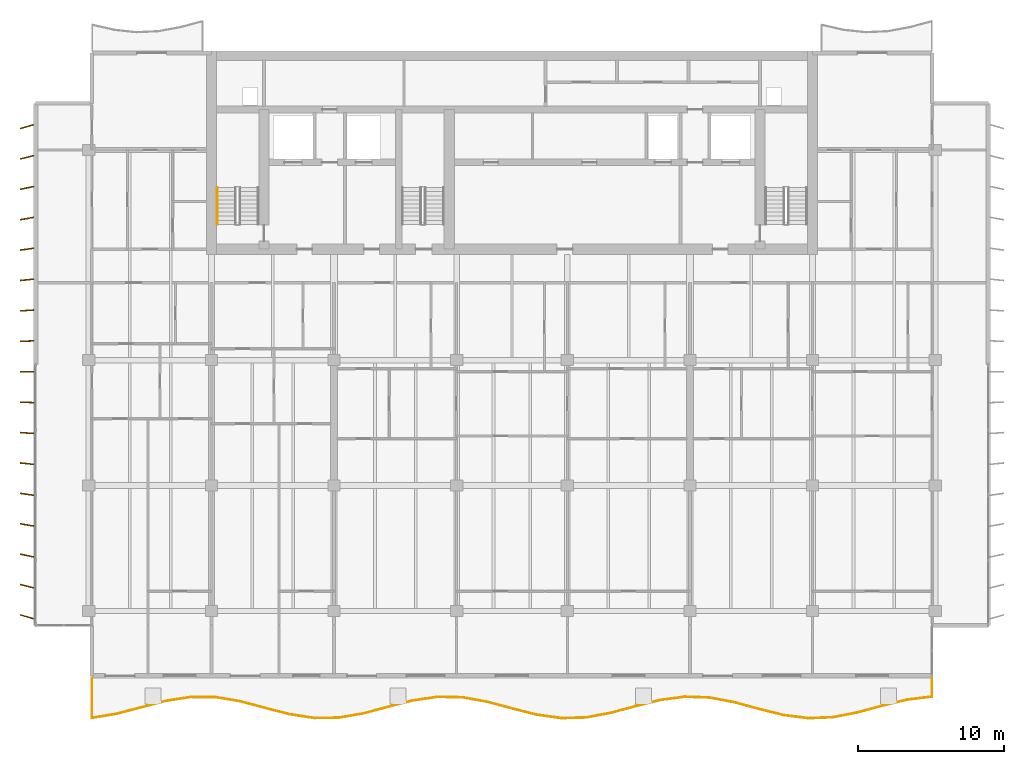
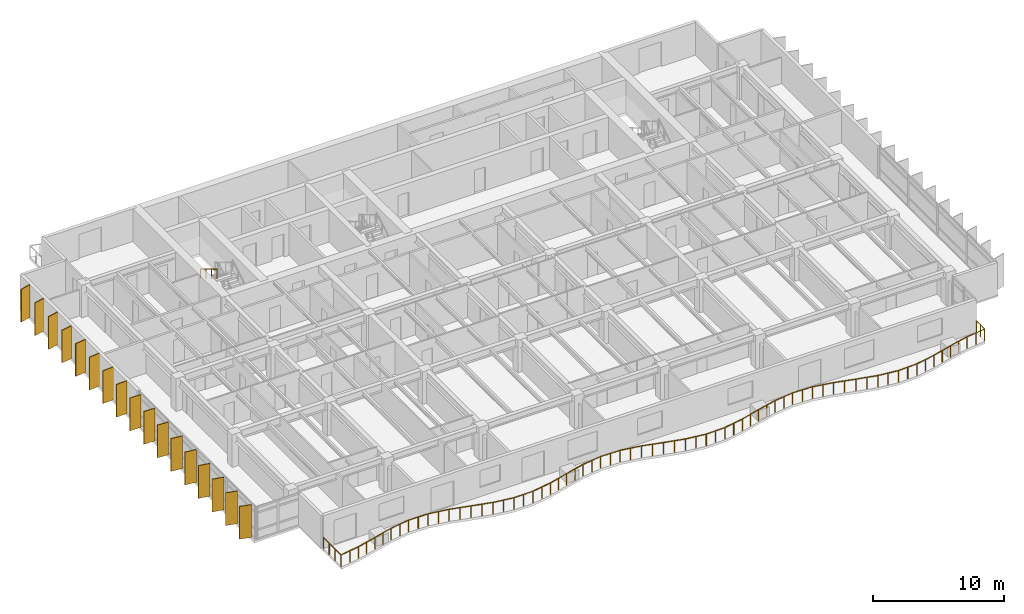
# One storey, part 14 of 17: 17 shading devices, 2 railings.
"""IFC4 building model written with IfcOpenShell, lengths in metres."""

from ifc_helpers import new_model, si_unit, direction, frame, origin, origin_2d, place, context, subcontext, project, spatial, rectangle, circle, extrude, material, material_profile, profile_set, type_object, element, save


model = new_model("IFC4")

# Units and contexts
model_context = context("Model", 3, precision=1e-05, world=origin(), true_north=direction((0.0, 1.0)))
body_context = subcontext(model_context, "Body", "Model", "MODEL_VIEW")
ifc_project = project(units=[si_unit("LENGTHUNIT", "METRE"), si_unit("AREAUNIT", "SQUARE_METRE"), si_unit("VOLUMEUNIT", "CUBIC_METRE"), si_unit("PLANEANGLEUNIT", "RADIAN"), si_unit("MASSUNIT", "GRAM", prefix="KILO")], contexts=[model_context])

# Site, building, storey
site_placement = place(None, origin())
site = spatial("IfcSite", under=ifc_project, at=site_placement, CompositionType="ELEMENT")
building_placement = place(site_placement, origin())
building = spatial("IfcBuilding", under=site, at=building_placement, Name="Caelmar Bay Residences", CompositionType="ELEMENT")
storey_placement = place(building_placement, frame((0.0, 0.0, 201.60009765625)))
storey = spatial("IfcBuildingStorey", under=building, at=storey_placement, Name="L56", CompositionType="ELEMENT", Elevation=201.60009765625)

# Railings
ifc_material_1 = material(Name="Anodised bronze handrail with laminated hurricane glass infill", Category="glass")
railing_type_1 = type_object("IfcRailingType", Name="RL-BAL-1100", PredefinedType="BALUSTRADE", material=ifc_material_1)
railing_1_placement = place(storey_placement, frame((10.10009765625, 7.60009765625, 0.0)))
element("IfcRailing", 1, at=railing_1_placement, inside=storey, type_object=railing_type_1, Name="L56 south Balcony Balustrade", PredefinedType="BALUSTRADE", context=body_context, shape_type="SweptSolid", body=[
    extrude(circle(Radius=0.02392578125, at=origin_2d()), frame((0.0, 0.0, 1.076171875), z_axis=(0.0, -1.0, 0.0), x_axis=(1.0, 0.0, 0.0)), (0.0, 0.0, 1.0), 2.7333984375),
    extrude(circle(Radius=0.02392578125, at=origin_2d()), frame((0.0, -2.7333984375, 1.076171875), z_axis=(0.987020906069, 0.160591814808, 0.0), x_axis=(-0.160591814808, 0.987020906069, 0.0)), (0.0, 0.0, 1.0), 1.71630859375),
    extrude(circle(Radius=0.02392578125, at=origin_2d()), frame((1.694091796875, -2.457763671875, 1.076171875), z_axis=(0.967110634576, 0.254356089941, 0.0), x_axis=(-0.254356089941, 0.967110634576, 0.0)), (0.0, 0.0, 1.0), 1.751708984375),
    extrude(circle(Radius=0.02392578125, at=origin_2d()), frame((3.38818359375, -2.01220703125, 1.076171875), z_axis=(0.967520956734, 0.252790819219, 0.0), x_axis=(-0.252790819219, 0.967520956734, 0.0)), (0.0, 0.0, 1.0), 1.7509765625),
    extrude(circle(Radius=0.02392578125, at=origin_2d()), frame((5.082275390625, -1.569580078125, 1.076171875), z_axis=(0.987754884776, 0.156013741708, 0.0), x_axis=(-0.156013741708, 0.987754884776, 0.0)), (0.0, 0.0, 1.0), 1.715087890625),
    extrude(circle(Radius=0.02392578125, at=origin_2d()), frame((6.7763671875, -1.302001953125, 1.076171875), z_axis=(0.999978027596, -0.006629051631, 0.0), x_axis=(0.006629051631, 0.999978027596, 0.0)), (0.0, 0.0, 1.0), 1.694091796875),
    extrude(circle(Radius=0.02392578125, at=origin_2d()), frame((8.470458984375, -1.313232421875, 1.076171875), z_axis=(0.986104347892, -0.166127105157, 0.0), x_axis=(0.166127105157, 0.986104347892, 0.0)), (0.0, 0.0, 1.0), 1.718017578125),
    extrude(circle(Radius=0.02392578125, at=origin_2d()), frame((10.16455078125, -1.5986328125, 1.076171875), z_axis=(0.966594667153, -0.256309869947, 0.0), x_axis=(0.256309869947, 0.966594667153, 0.0)), (0.0, 0.0, 1.0), 1.752685546875),
    extrude(circle(Radius=0.02392578125, at=origin_2d()), frame((11.858642578125, -2.0478515625, 1.076171875), z_axis=(0.968132332048, -0.250439189512, 0.0), x_axis=(0.250439189512, 0.968132332048, 0.0)), (0.0, 0.0, 1.0), 1.749755859375),
    extrude(circle(Radius=0.02392578125, at=origin_2d()), frame((13.552734375, -2.486083984375, 1.076171875), z_axis=(0.98864185553, -0.150290656712, 0.0), x_axis=(0.150290656712, 0.98864185553, 0.0)), (0.0, 0.0, 1.0), 1.7138671875),
    extrude(circle(Radius=0.02392578125, at=origin_2d()), frame((15.2470703125, -2.74365234375, 1.076171875), z_axis=(0.999904312247, 0.013833522694, 0.0), x_axis=(-0.013833522694, 0.999904312247, 0.0)), (0.0, 0.0, 1.0), 1.6943359375),
    extrude(circle(Radius=0.02392578125, at=origin_2d()), frame((16.941162109375, -2.72021484375, 1.076171875), z_axis=(0.985158564818, 0.171646736542, 0.0), x_axis=(-0.171646736542, 0.985158564818, 0.0)), (0.0, 0.0, 1.0), 1.7197265625),
    extrude(circle(Radius=0.02392578125, at=origin_2d()), frame((18.63525390625, -2.425048828125, 1.076171875), z_axis=(0.966144753917, 0.258000609455, 0.0), x_axis=(-0.258000609455, 0.966144753917, 0.0)), (0.0, 0.0, 1.0), 1.75341796875),
    extrude(circle(Radius=0.02392578125, at=origin_2d()), frame((20.329345703125, -1.97265625, 1.076171875), z_axis=(0.968738750291, 0.248083118499, 0.0), x_axis=(-0.248083118499, 0.968738750291, 0.0)), (0.0, 0.0, 1.0), 1.748779296875),
    extrude(circle(Radius=0.02392578125, at=origin_2d()), frame((22.0234375, -1.538818359375, 1.076171875), z_axis=(0.98951133428, 0.14445525027, 0.0), x_axis=(-0.14445525027, 0.98951133428, 0.0)), (0.0, 0.0, 1.0), 1.712158203125),
    extrude(circle(Radius=0.02392578125, at=origin_2d()), frame((23.717529296875, -1.29150390625, 1.076171875), z_axis=(0.999775681677, -0.021179856637, 0.0), x_axis=(0.021179856637, 0.999775681677, 0.0)), (0.0, 0.0, 1.0), 1.694580078125),
    extrude(circle(Radius=0.02392578125, at=origin_2d()), frame((25.41162109375, -1.327392578125, 1.076171875), z_axis=(0.984208538053, -0.177012862875, 0.0), x_axis=(0.177012862875, 0.984208538053, 0.0)), (0.0, 0.0, 1.0), 1.72119140625),
    extrude(circle(Radius=0.02392578125, at=origin_2d()), frame((27.105712890625, -1.632080078125, 1.076171875), z_axis=(0.965727200688, -0.259559191423, 0.0), x_axis=(0.259559191423, 0.965727200688, 0.0)), (0.0, 0.0, 1.0), 1.754150390625),
    extrude(circle(Radius=0.02392578125, at=origin_2d()), frame((28.7998046875, -2.08740234375, 1.076171875), z_axis=(0.969373446512, -0.245591370366, 0.0), x_axis=(0.245591370366, 0.969373446512, 0.0)), (0.0, 0.0, 1.0), 1.74755859375),
    extrude(circle(Radius=0.02392578125, at=origin_2d()), frame((30.493896484375, -2.5166015625, 1.076171875), z_axis=(0.990409437988, -0.138163472542, 0.0), x_axis=(0.138163472542, 0.990409437988, 0.0)), (0.0, 0.0, 1.0), 1.71044921875),
    extrude(circle(Radius=0.02392578125, at=origin_2d()), frame((32.18798828125, -2.7529296875, 1.076171875), z_axis=(0.999601431014, 0.028230818513, 0.0), x_axis=(-0.028230818513, 0.999601431014, 0.0)), (0.0, 0.0, 1.0), 1.695068359375),
    extrude(circle(Radius=0.02392578125, at=origin_2d()), frame((33.88232421875, -2.705078125, 1.076171875), z_axis=(0.983256624742, 0.182226260184, 0.0), x_axis=(-0.182226260184, 0.983256624742, 0.0)), (0.0, 0.0, 1.0), 1.722900390625),
    extrude(circle(Radius=0.02392578125, at=origin_2d()), frame((35.576416015625, -2.39111328125, 1.076171875), z_axis=(0.965342555337, 0.260986112381, 0.0), x_axis=(-0.260986112381, 0.965342555337, 0.0)), (0.0, 0.0, 1.0), 1.7548828125),
    extrude(circle(Radius=0.02392578125, at=origin_2d()), frame((37.2705078125, -1.93310546875, 1.076171875), z_axis=(0.970068443497, 0.242831659656, 0.0), x_axis=(-0.242831659656, 0.970068443497, 0.0)), (0.0, 0.0, 1.0), 1.746337890625),
    extrude(circle(Radius=0.02392578125, at=origin_2d()), frame((38.964599609375, -1.509033203125, 1.076171875), z_axis=(0.991231643063, 0.132135649205, 0.0), x_axis=(-0.132135649205, 0.991231643063, 0.0)), (0.0, 0.0, 1.0), 1.708984375),
    extrude(circle(Radius=0.02392578125, at=origin_2d()), frame((40.65869140625, -1.283203125, 1.076171875), z_axis=(0.999367067109, -0.035573377371, 0.0), x_axis=(0.035573377371, 0.999367067109, 0.0)), (0.0, 0.0, 1.0), 1.695068359375),
    extrude(circle(Radius=0.02392578125, at=origin_2d()), frame((42.352783203125, -1.343505859375, 1.076171875), z_axis=(0.982310060551, -0.187261701745, 0.0), x_axis=(0.187261701745, 0.982310060551, 0.0)), (0.0, 0.0, 1.0), 1.724853515625),
    extrude(circle(Radius=0.02392578125, at=origin_2d()), frame((44.047119140625, -1.66650390625, 1.076171875), z_axis=(0.965026507292, -0.26215232256, 0.0), x_axis=(0.26215232256, 0.965026507292, 0.0)), (0.0, 0.0, 1.0), 1.75537109375),
    extrude(circle(Radius=0.02392578125, at=origin_2d()), frame((45.7412109375, -2.126708984375, 1.076171875), z_axis=(0.970789153593, -0.239934197782, 0.0), x_axis=(0.239934197782, 0.970789153593, 0.0)), (0.0, 0.0, 1.0), 1.7451171875),
    extrude(circle(Radius=0.02392578125, at=origin_2d()), frame((47.435302734375, -2.54541015625, 1.076171875), z_axis=(0.992036281336, -0.125952437506, 0.0), x_axis=(0.125952437506, 0.992036281336, 0.0)), (0.0, 0.0, 1.0), 1.707763671875),
    extrude(circle(Radius=0.02392578125, at=origin_2d()), frame((49.12939453125, -2.760498046875, 1.076171875), z_axis=(0.999085270013, 0.042762404553, 0.0), x_axis=(-0.042762404553, 0.999085270013, 0.0)), (0.0, 0.0, 1.0), 1.695556640625),
    extrude(circle(Radius=0.02392578125, at=origin_2d()), frame((50.823486328125, -2.68798828125, 1.076171875), z_axis=(0.981356137979, 0.192198154131, 0.0), x_axis=(-0.192198154131, 0.981356137979, 0.0)), (0.0, 0.0, 1.0), 1.726318359375),
    extrude(circle(Radius=0.02392578125, at=origin_2d()), frame((52.517578125, -2.356201171875, 1.076171875), z_axis=(0.964744568041, 0.263187990676, 0.0), x_axis=(-0.263187990676, 0.964744568041, 0.0)), (0.0, 0.0, 1.0), 1.756103515625),
    extrude(circle(Radius=0.02392578125, at=origin_2d()), frame((54.211669921875, -1.89404296875, 1.076171875), z_axis=(0.971502255438, 0.23703030962, 0.0), x_axis=(-0.23703030962, 0.971502255438, 0.0)), (0.0, 0.0, 1.0), 1.743896484375),
    extrude(circle(Radius=0.02392578125, at=origin_2d()), frame((55.90576171875, -1.480712890625, 1.076171875), z_axis=(0.992837516335, 0.119472449364, 0.0), x_axis=(-0.119472449364, 0.992837516335, 0.0)), (0.0, 0.0, 1.0), 1.706298828125),
    extrude(circle(Radius=0.02392578125, at=origin_2d()), frame((57.599853515625, -1.27685546875, 1.076171875), z_axis=(0.0, 1.0, 0.0), x_axis=(-1.0, 0.0, 0.0)), (0.0, 0.0, 1.0), 1.27685546875),
    extrude(circle(Radius=0.02099609375, at=origin_2d()), origin(), (0.0, 0.0, 1.0), 1.052001953125),
    extrude(circle(Radius=0.02099609375, at=origin_2d()), frame((0.0, -0.9111328125, 0.0)), (0.0, 0.0, 1.0), 1.052001953125),
    extrude(circle(Radius=0.02099609375, at=origin_2d()), frame((0.0, -1.822265625, 0.0)), (0.0, 0.0, 1.0), 1.052001953125),
    extrude(circle(Radius=0.02099609375, at=origin_2d()), frame((0.0, -2.7333984375, 0.0)), (0.0, 0.0, 1.0), 1.052001953125),
    extrude(circle(Radius=0.02099609375, at=origin_2d()), frame((0.84716796875, -2.595703125, 0.0)), (0.0, 0.0, 1.0), 1.052001953125),
    extrude(circle(Radius=0.02099609375, at=origin_2d()), frame((1.694091796875, -2.457763671875, 0.0)), (0.0, 0.0, 1.0), 1.052001953125),
    extrude(circle(Radius=0.02099609375, at=origin_2d()), frame((2.541015625, -2.23486328125, 0.0)), (0.0, 0.0, 1.0), 1.052001953125),
    extrude(circle(Radius=0.02099609375, at=origin_2d()), frame((3.38818359375, -2.01220703125, 0.0)), (0.0, 0.0, 1.0), 1.052001953125),
    extrude(circle(Radius=0.02099609375, at=origin_2d()), frame((4.2353515625, -1.791015625, 0.0)), (0.0, 0.0, 1.0), 1.052001953125),
    extrude(circle(Radius=0.02099609375, at=origin_2d()), frame((5.082275390625, -1.569580078125, 0.0)), (0.0, 0.0, 1.0), 1.052001953125),
    extrude(circle(Radius=0.02099609375, at=origin_2d()), frame((5.92919921875, -1.435791015625, 0.0)), (0.0, 0.0, 1.0), 1.052001953125),
    extrude(circle(Radius=0.02099609375, at=origin_2d()), frame((6.7763671875, -1.302001953125, 0.0)), (0.0, 0.0, 1.0), 1.052001953125),
    extrude(circle(Radius=0.02099609375, at=origin_2d()), frame((7.62353515625, -1.3076171875, 0.0)), (0.0, 0.0, 1.0), 1.052001953125),
    extrude(circle(Radius=0.02099609375, at=origin_2d()), frame((8.470458984375, -1.313232421875, 0.0)), (0.0, 0.0, 1.0), 1.052001953125),
    extrude(circle(Radius=0.02099609375, at=origin_2d()), frame((9.3173828125, -1.4560546875, 0.0)), (0.0, 0.0, 1.0), 1.052001953125),
    extrude(circle(Radius=0.02099609375, at=origin_2d()), frame((10.16455078125, -1.5986328125, 0.0)), (0.0, 0.0, 1.0), 1.052001953125),
    extrude(circle(Radius=0.02099609375, at=origin_2d()), frame((11.01171875, -1.8232421875, 0.0)), (0.0, 0.0, 1.0), 1.052001953125),
    extrude(circle(Radius=0.02099609375, at=origin_2d()), frame((11.858642578125, -2.0478515625, 0.0)), (0.0, 0.0, 1.0), 1.052001953125),
    extrude(circle(Radius=0.02099609375, at=origin_2d()), frame((12.70556640625, -2.26708984375, 0.0)), (0.0, 0.0, 1.0), 1.052001953125),
    extrude(circle(Radius=0.02099609375, at=origin_2d()), frame((13.552734375, -2.486083984375, 0.0)), (0.0, 0.0, 1.0), 1.052001953125),
    extrude(circle(Radius=0.02099609375, at=origin_2d()), frame((14.39990234375, -2.61474609375, 0.0)), (0.0, 0.0, 1.0), 1.052001953125),
    extrude(circle(Radius=0.02099609375, at=origin_2d()), frame((15.2470703125, -2.74365234375, 0.0)), (0.0, 0.0, 1.0), 1.052001953125),
    extrude(circle(Radius=0.02099609375, at=origin_2d()), frame((16.09423828125, -2.73193359375, 0.0)), (0.0, 0.0, 1.0), 1.052001953125),
    extrude(circle(Radius=0.02099609375, at=origin_2d()), frame((16.941162109375, -2.72021484375, 0.0)), (0.0, 0.0, 1.0), 1.052001953125),
    extrude(circle(Radius=0.02099609375, at=origin_2d()), frame((17.7880859375, -2.57275390625, 0.0)), (0.0, 0.0, 1.0), 1.052001953125),
    extrude(circle(Radius=0.02099609375, at=origin_2d()), frame((18.63525390625, -2.425048828125, 0.0)), (0.0, 0.0, 1.0), 1.052001953125),
    extrude(circle(Radius=0.02099609375, at=origin_2d()), frame((19.482421875, -2.19873046875, 0.0)), (0.0, 0.0, 1.0), 1.052001953125),
    extrude(circle(Radius=0.02099609375, at=origin_2d()), frame((20.329345703125, -1.97265625, 0.0)), (0.0, 0.0, 1.0), 1.052001953125),
    extrude(circle(Radius=0.02099609375, at=origin_2d()), frame((21.17626953125, -1.755859375, 0.0)), (0.0, 0.0, 1.0), 1.052001953125),
    extrude(circle(Radius=0.02099609375, at=origin_2d()), frame((22.0234375, -1.538818359375, 0.0)), (0.0, 0.0, 1.0), 1.052001953125),
    extrude(circle(Radius=0.02099609375, at=origin_2d()), frame((22.87060546875, -1.4150390625, 0.0)), (0.0, 0.0, 1.0), 1.052001953125),
    extrude(circle(Radius=0.02099609375, at=origin_2d()), frame((23.717529296875, -1.29150390625, 0.0)), (0.0, 0.0, 1.0), 1.052001953125),
    extrude(circle(Radius=0.02099609375, at=origin_2d()), frame((24.564453125, -1.3095703125, 0.0)), (0.0, 0.0, 1.0), 1.052001953125),
    extrude(circle(Radius=0.02099609375, at=origin_2d()), frame((25.41162109375, -1.327392578125, 0.0)), (0.0, 0.0, 1.0), 1.052001953125),
    extrude(circle(Radius=0.02099609375, at=origin_2d()), frame((26.2587890625, -1.479736328125, 0.0)), (0.0, 0.0, 1.0), 1.052001953125),
    extrude(circle(Radius=0.02099609375, at=origin_2d()), frame((27.105712890625, -1.632080078125, 0.0)), (0.0, 0.0, 1.0), 1.052001953125),
    extrude(circle(Radius=0.02099609375, at=origin_2d()), frame((27.95263671875, -1.85986328125, 0.0)), (0.0, 0.0, 1.0), 1.052001953125),
    extrude(circle(Radius=0.02099609375, at=origin_2d()), frame((28.7998046875, -2.08740234375, 0.0)), (0.0, 0.0, 1.0), 1.052001953125),
    extrude(circle(Radius=0.02099609375, at=origin_2d()), frame((29.64697265625, -2.302001953125, 0.0)), (0.0, 0.0, 1.0), 1.052001953125),
    extrude(circle(Radius=0.02099609375, at=origin_2d()), frame((30.493896484375, -2.5166015625, 0.0)), (0.0, 0.0, 1.0), 1.052001953125),
    extrude(circle(Radius=0.02099609375, at=origin_2d()), frame((31.3408203125, -2.634765625, 0.0)), (0.0, 0.0, 1.0), 1.052001953125),
    extrude(circle(Radius=0.02099609375, at=origin_2d()), frame((32.18798828125, -2.7529296875, 0.0)), (0.0, 0.0, 1.0), 1.052001953125),
    extrude(circle(Radius=0.02099609375, at=origin_2d()), frame((33.03515625, -2.72900390625, 0.0)), (0.0, 0.0, 1.0), 1.052001953125),
    extrude(circle(Radius=0.02099609375, at=origin_2d()), frame((33.88232421875, -2.705078125, 0.0)), (0.0, 0.0, 1.0), 1.052001953125),
    extrude(circle(Radius=0.02099609375, at=origin_2d()), frame((34.7294921875, -2.548095703125, 0.0)), (0.0, 0.0, 1.0), 1.052001953125),
    extrude(circle(Radius=0.02099609375, at=origin_2d()), frame((35.576416015625, -2.39111328125, 0.0)), (0.0, 0.0, 1.0), 1.052001953125),
    extrude(circle(Radius=0.02099609375, at=origin_2d()), frame((36.42333984375, -2.162109375, 0.0)), (0.0, 0.0, 1.0), 1.052001953125),
    extrude(circle(Radius=0.02099609375, at=origin_2d()), frame((37.2705078125, -1.93310546875, 0.0)), (0.0, 0.0, 1.0), 1.052001953125),
    extrude(circle(Radius=0.02099609375, at=origin_2d()), frame((38.11767578125, -1.72119140625, 0.0)), (0.0, 0.0, 1.0), 1.052001953125),
    extrude(circle(Radius=0.02099609375, at=origin_2d()), frame((38.964599609375, -1.509033203125, 0.0)), (0.0, 0.0, 1.0), 1.052001953125),
    extrude(circle(Radius=0.02099609375, at=origin_2d()), frame((39.8115234375, -1.39599609375, 0.0)), (0.0, 0.0, 1.0), 1.052001953125),
    extrude(circle(Radius=0.02099609375, at=origin_2d()), frame((40.65869140625, -1.283203125, 0.0)), (0.0, 0.0, 1.0), 1.052001953125),
    extrude(circle(Radius=0.02099609375, at=origin_2d()), frame((41.505859375, -1.3134765625, 0.0)), (0.0, 0.0, 1.0), 1.052001953125),
    extrude(circle(Radius=0.02099609375, at=origin_2d()), frame((42.352783203125, -1.343505859375, 0.0)), (0.0, 0.0, 1.0), 1.052001953125),
    extrude(circle(Radius=0.02099609375, at=origin_2d()), frame((43.199951171875, -1.5048828125, 0.0)), (0.0, 0.0, 1.0), 1.052001953125),
    extrude(circle(Radius=0.02099609375, at=origin_2d()), frame((44.047119140625, -1.66650390625, 0.0)), (0.0, 0.0, 1.0), 1.052001953125),
    extrude(circle(Radius=0.02099609375, at=origin_2d()), frame((44.89404296875, -1.896484375, 0.0)), (0.0, 0.0, 1.0), 1.052001953125),
    extrude(circle(Radius=0.02099609375, at=origin_2d()), frame((45.7412109375, -2.126708984375, 0.0)), (0.0, 0.0, 1.0), 1.052001953125),
    extrude(circle(Radius=0.02099609375, at=origin_2d()), frame((46.58837890625, -2.3359375, 0.0)), (0.0, 0.0, 1.0), 1.052001953125),
    extrude(circle(Radius=0.02099609375, at=origin_2d()), frame((47.435302734375, -2.54541015625, 0.0)), (0.0, 0.0, 1.0), 1.052001953125),
    extrude(circle(Radius=0.02099609375, at=origin_2d()), frame((48.2822265625, -2.65283203125, 0.0)), (0.0, 0.0, 1.0), 1.052001953125),
    extrude(circle(Radius=0.02099609375, at=origin_2d()), frame((49.12939453125, -2.760498046875, 0.0)), (0.0, 0.0, 1.0), 1.052001953125),
    extrude(circle(Radius=0.02099609375, at=origin_2d()), frame((49.9765625, -2.72412109375, 0.0)), (0.0, 0.0, 1.0), 1.052001953125),
    extrude(circle(Radius=0.02099609375, at=origin_2d()), frame((50.823486328125, -2.68798828125, 0.0)), (0.0, 0.0, 1.0), 1.052001953125),
    extrude(circle(Radius=0.02099609375, at=origin_2d()), frame((51.67041015625, -2.52197265625, 0.0)), (0.0, 0.0, 1.0), 1.052001953125),
    extrude(circle(Radius=0.02099609375, at=origin_2d()), frame((52.517578125, -2.356201171875, 0.0)), (0.0, 0.0, 1.0), 1.052001953125),
    extrude(circle(Radius=0.02099609375, at=origin_2d()), frame((53.36474609375, -2.125, 0.0)), (0.0, 0.0, 1.0), 1.052001953125),
    extrude(circle(Radius=0.02099609375, at=origin_2d()), frame((54.211669921875, -1.89404296875, 0.0)), (0.0, 0.0, 1.0), 1.052001953125),
    extrude(circle(Radius=0.02099609375, at=origin_2d()), frame((55.05859375, -1.6875, 0.0)), (0.0, 0.0, 1.0), 1.052001953125),
    extrude(circle(Radius=0.02099609375, at=origin_2d()), frame((55.90576171875, -1.480712890625, 0.0)), (0.0, 0.0, 1.0), 1.052001953125),
    extrude(circle(Radius=0.02099609375, at=origin_2d()), frame((56.7529296875, -1.37890625, 0.0)), (0.0, 0.0, 1.0), 1.052001953125),
    extrude(circle(Radius=0.02099609375, at=origin_2d()), frame((57.599853515625, -1.27685546875, 0.0)), (0.0, 0.0, 1.0), 1.052001953125),
    extrude(circle(Radius=0.02099609375, at=origin_2d()), frame((57.599853515625, -0.638427734375, 0.0)), (0.0, 0.0, 1.0), 1.052001953125),
    extrude(circle(Radius=0.02099609375, at=origin_2d()), frame((57.599853515625, 0.0, 0.0)), (0.0, 0.0, 1.0), 1.052001953125),
])
ifc_material_2 = material(Name="Brushed bronze stainless-steel tubular handrail 900 mm", Category="steel")
railing_type_2 = type_object("IfcRailingType", Name="RL-HND-900", PredefinedType="HANDRAIL", material=ifc_material_2)
railing_2_placement = place(storey_placement, frame((18.699951171875, 41.219970703125, 1.81494140625)))
element("IfcRailing", 2, at=railing_2_placement, inside=storey, type_object=railing_type_2, Name="L56 ST1 stair handrail 2", PredefinedType="HANDRAIL", context=body_context, shape_type="SweptSolid", body=[
    extrude(circle(Radius=0.02392578125, at=origin_2d()), frame((0.0, 0.0, 0.8759765625), z_axis=(0.0, -0.861560626758, 0.507654692109), x_axis=(1.0, 0.0, 0.0)), (0.0, 0.0, 1.0), 2.925048828125),
    extrude(circle(Radius=0.02099609375, at=origin_2d()), origin(), (0.0, 0.0, 1.0), 0.851806640625),
    extrude(circle(Radius=0.02099609375, at=origin_2d()), frame((0.0, -0.840087890625, 0.494873046875)), (0.0, 0.0, 1.0), 0.851806640625),
    extrude(circle(Radius=0.02099609375, at=origin_2d()), frame((0.0, -1.679931640625, 0.989990234375)), (0.0, 0.0, 1.0), 0.851806640625),
    extrude(circle(Radius=0.02099609375, at=origin_2d()), frame((0.0, -2.52001953125, 1.48486328125)), (0.0, 0.0, 1.0), 0.851806640625),
])

# Shading devices
ifc_material_3 = material(Name="Anodised architectural bronze aluminium 6063-T6", Category="aluminium")
ifc_material_profile = material_profile(ifc_material_3, rectangle(XDim=0.074951171875, YDim=0.949951171875, at=origin_2d()), Name="BRONZE-FIN-75X950")
ifc_profile_set = profile_set([ifc_material_profile], Name="Anodised architectural bronze aluminium 6063-T6")
shading_device_type = type_object("IfcShadingDeviceType", Name="SHD-FIN-950", PredefinedType="USERDEFINED", material=ifc_profile_set)
for number, where, z_axis, x_axis, name in (
    (3, (5.64990234375, 11.800048828125, 0.0), (0.0, 0.0, 1.0), (0.275637355817, 0.961261695938, 0.0), "L56 West Bronze Solar Fin 1"),
    (4, (5.64990234375, 13.89990234375, 0.0), (0.0, 0.0, 1.0), (0.2419218956, 0.970295726276, 0.0), "L56 West Bronze Solar Fin 2"),
    (5, (5.64990234375, 16.0, 0.0), (0.0, 0.0, 1.0), (0.207911690818, 0.978147600734, 0.0), "L56 West Bronze Solar Fin 3"),
    (6, (5.64990234375, 18.10009765625, 0.0), (0.0, 0.0, 1.0), (0.173648177667, 0.984807753012, 0.0), "L56 West Bronze Solar Fin 4"),
    (7, (5.64990234375, 20.199951171875, 0.0), (0.0, 0.0, 1.0), (0.13917310096, 0.990268068742, 0.0), "L56 West Bronze Solar Fin 5"),
    (8, (5.64990234375, 22.300048828125, 0.0), (0.0, 0.0, 1.0), (0.104528463268, 0.994521895368, 0.0), "L56 West Bronze Solar Fin 6"),
    (9, (5.64990234375, 24.39990234375, 0.0), (0.0, 0.0, 1.0), (0.069756473744, 0.99756405026, 0.0), "L56 West Bronze Solar Fin 7"),
    (10, (5.64990234375, 26.5, 0.0), (0.0, 0.0, 1.0), (0.034899496703, 0.999390827019, 0.0), "L56 West Bronze Solar Fin 8"),
    (11, (5.64990234375, 28.60009765625, 0.0), (0.0, 0.0, 1.0), (0.0, 1.0, 0.0), "L56 West Bronze Solar Fin 9"),
    (12, (5.64990234375, 30.699951171875, 0.0), (0.0, 0.0, 1.0), (-0.034899496703, 0.999390827019, 0.0), "L56 West Bronze Solar Fin 10"),
    (13, (5.64990234375, 32.800048828125, 0.0), (0.0, 0.0, 1.0), (-0.069756473744, 0.99756405026, 0.0), "L56 West Bronze Solar Fin 11"),
    (14, (5.64990234375, 34.89990234375, 0.0), (0.0, 0.0, 1.0), (-0.104528463268, 0.994521895368, 0.0), "L56 West Bronze Solar Fin 12"),
    (15, (5.64990234375, 37.0, 0.0), (0.0, 0.0, 1.0), (-0.13917310096, 0.990268068742, 0.0), "L56 West Bronze Solar Fin 13"),
    (16, (5.64990234375, 39.10009765625, 0.0), (0.0, 0.0, 1.0), (-0.173648177667, 0.984807753012, 0.0), "L56 West Bronze Solar Fin 14"),
    (17, (5.64990234375, 41.199951171875, 0.0), (0.0, 0.0, 1.0), (-0.207911690818, 0.978147600734, 0.0), "L56 West Bronze Solar Fin 15"),
    (18, (5.64990234375, 43.300048828125, 0.0), (0.0, 0.0, 1.0), (-0.2419218956, 0.970295726276, 0.0), "L56 West Bronze Solar Fin 16"),
    (19, (5.64990234375, 45.39990234375, 0.0), (0.0, 0.0, 1.0), (-0.275637355817, 0.961261695938, 0.0), "L56 West Bronze Solar Fin 17"),
):
    element("IfcShadingDevice", number, at=place(storey_placement, frame(where, z_axis=z_axis, x_axis=x_axis)), inside=storey, type_object=shading_device_type, Name=name, ObjectType="FIN", PredefinedType="USERDEFINED", context=body_context, shape_type="SweptSolid", body=[
        extrude(rectangle(XDim=0.074951171875, YDim=0.949951171875, at=origin_2d()), origin(), (0.0, 0.0, 1.0), 3.0498046875),
    ])

save(model, "model.ifc")
